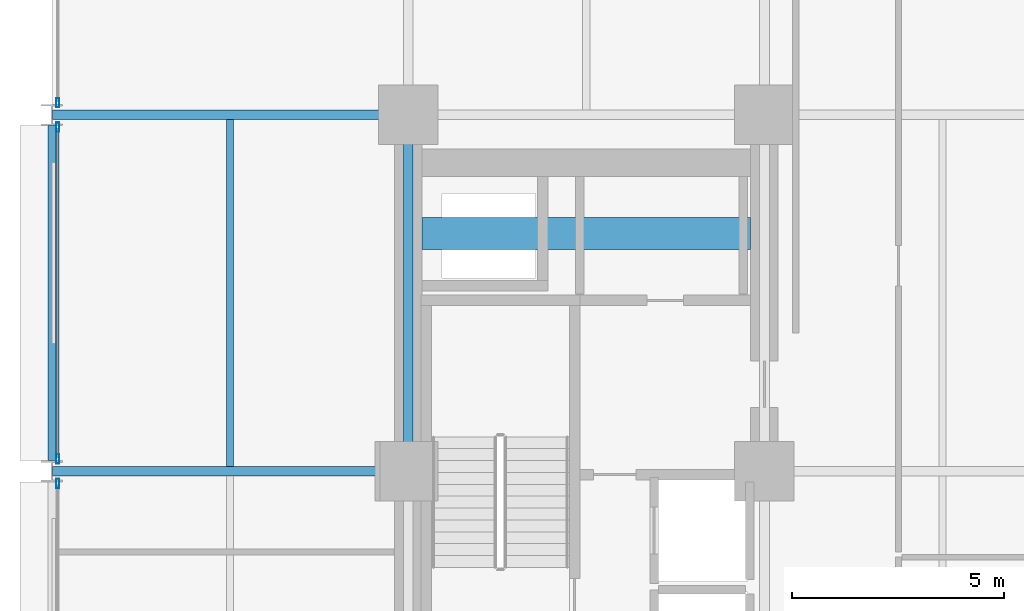
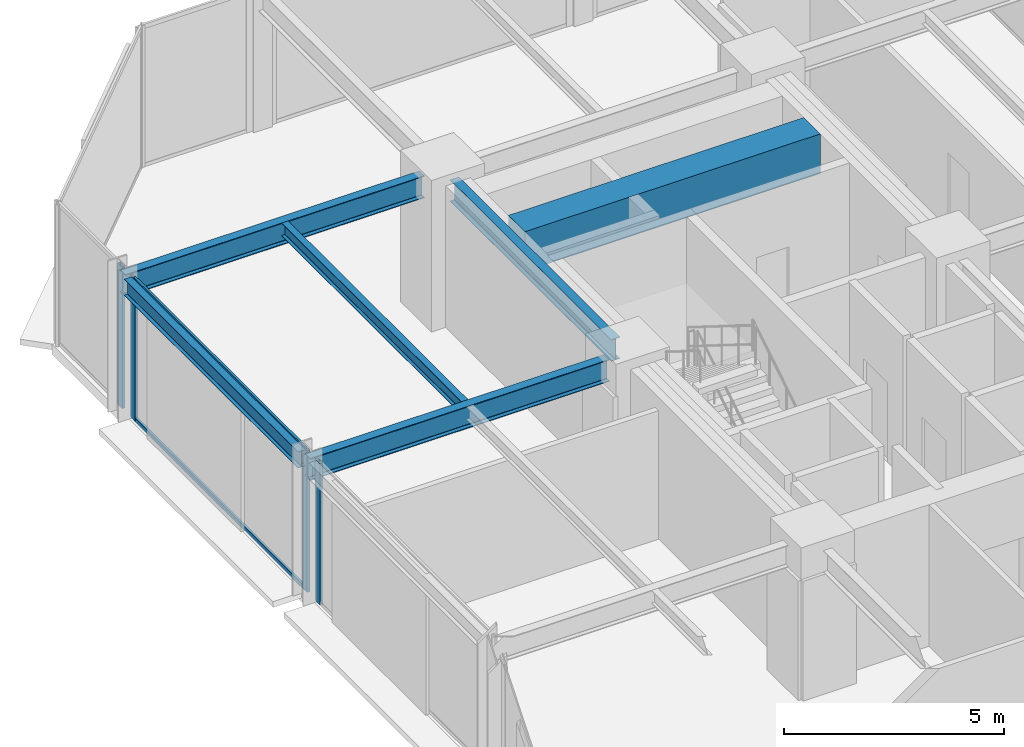
# One storey, part 14 of 25: 6 beams, 6 members, 3 elements without a shape of their own.
"""IFC4 building model written with IfcOpenShell, lengths in metres."""

from ifc_helpers import new_model, si_unit, direction, frame, origin, origin_2d, place, context, subcontext, project, spatial, rectangle, hollow_rectangle, i_section, extrude, material, layer, layer_set, material_profile, profile_set, type_object, element, aggregate, save


model = new_model("IFC4")

# Units and contexts
model_context = context("Model", 3, precision=1e-05, world=origin(), true_north=direction((0.0, 1.0)))
body_context = subcontext(model_context, "Body", "Model", "MODEL_VIEW")
ifc_project = project(units=[si_unit("LENGTHUNIT", "METRE"), si_unit("AREAUNIT", "SQUARE_METRE"), si_unit("VOLUMEUNIT", "CUBIC_METRE"), si_unit("PLANEANGLEUNIT", "RADIAN"), si_unit("MASSUNIT", "GRAM", prefix="KILO")], contexts=[model_context])

# Site, building, storey
site_placement = place(None, origin())
site = spatial("IfcSite", under=ifc_project, at=site_placement, CompositionType="ELEMENT")
building_placement = place(site_placement, origin())
building = spatial("IfcBuilding", under=site, at=building_placement, Name="Nerrivon Quay Data Exchange", CompositionType="ELEMENT")
storey_placement = place(building_placement, frame((0.0, 0.0, 24.800048828125)))
storey = spatial("IfcBuildingStorey", under=building, at=storey_placement, Name="L05", CompositionType="ELEMENT", Elevation=24.800048828125)

# Beams
ifc_material_1 = material(Name="Concrete S65 (65 MPa)", Category="concrete")
ifc_material_profile_1 = material_profile(ifc_material_1, rectangle(XDim=0.75, YDim=1.10009765625, at=origin_2d()), Name="RC-CB-750x1100")
ifc_profile_set_1 = profile_set([ifc_material_profile_1], Name="Concrete S65 (65 MPa)")
beam_type_1 = type_object("IfcBeamType", Name="BM-CB1-750x1100", PredefinedType="LINTEL", material=ifc_profile_set_1)
beam_1_placement = place(storey_placement, frame((8.72509765625, 39.199951171875, 3.375), z_axis=(1.0, 0.0, 0.0), x_axis=(0.0, 1.0, 0.0)))
element("IfcBeam", 1, at=beam_1_placement, inside=storey, type_object=beam_type_1, Name="L05 West Core Coupling Beam", PredefinedType="LINTEL", context=body_context, shape_type="SweptSolid", body=[
    extrude(rectangle(XDim=0.75, YDim=1.10009765625, at=origin_2d()), origin(), (0.0, 0.0, 1.0), 7.75),
])
ifc_material_2 = material(Name="Steel Grade 350", Category="steel")
ifc_material_profile_2 = material_profile(ifc_material_2, i_section(OverallWidth=0.22900390625, OverallDepth=0.612060546875, WebThickness=0.011962890625, FlangeThickness=0.01953125, FilletRadius=0.013916015625, at=origin_2d()), Name="610UB125")
ifc_profile_set_2 = profile_set([ifc_material_profile_2], Name="Steel Grade 350")
beam_type_2 = type_object("IfcBeamType", Name="BM-G1-610UB125", PredefinedType="BEAM", material=ifc_profile_set_2)
for number, where, z_axis, x_axis, name in (
    (2, (0.013916015625, 33.60009765625, 3.618896484375), (1.0, 0.0, 0.0), (0.0, 1.0, 0.0), "L05 EW Girder Y=33.6 (0.0..8.4)"),
    (3, (0.013916015625, 42.0, 3.618896484375), (1.0, 0.0, 0.0), (0.0, 1.0, 0.0), "L05 EW Girder Y=42.0 (0.0..8.4)"),
):
    element("IfcBeam", number, at=place(storey_placement, frame(where, z_axis=z_axis, x_axis=x_axis)), inside=storey, type_object=beam_type_2, Name=name, PredefinedType="BEAM", context=body_context, shape_type="SweptSolid", body=[
        extrude(i_section(OverallWidth=0.22900390625, OverallDepth=0.612060546875, WebThickness=0.011962890625, FlangeThickness=0.01953125, FilletRadius=0.013916015625, at=origin_2d()), origin(), (0.0, 0.0, 1.0), 7.84619140625),
    ])
ifc_material_profile_3 = material_profile(ifc_material_2, i_section(OverallWidth=0.22802734375, OverallDepth=0.60205078125, WebThickness=0.010498046875, FlangeThickness=0.014892578125, FilletRadius=0.013916015625, at=origin_2d()), Name="610UB101")
ifc_profile_set_3 = profile_set([ifc_material_profile_3], Name="Steel Grade 350")
beam_type_3 = type_object("IfcBeamType", Name="BM-G2-610UB101", PredefinedType="BEAM", material=ifc_profile_set_3)
beam_2_placement = place(storey_placement, frame((8.39990234375, 34.139892578125, 3.6240234375), z_axis=(0.0, 1.0, 0.0), x_axis=(-1.0, 0.0, 0.0)))
element("IfcBeam", 4, at=beam_2_placement, inside=storey, type_object=beam_type_3, Name="L05 NS Girder X=8.4 (33.6..42.0)", PredefinedType="BEAM", context=body_context, shape_type="SweptSolid", body=[
    extrude(i_section(OverallWidth=0.22802734375, OverallDepth=0.60205078125, WebThickness=0.010498046875, FlangeThickness=0.014892578125, FilletRadius=0.013916015625, at=origin_2d()), origin(), (0.0, 0.0, 1.0), 7.320068359375),
])
ifc_material_profile_4 = material_profile(ifc_material_2, i_section(OverallWidth=0.172119140625, OverallDepth=0.35888671875, WebThickness=0.008056640625, FlangeThickness=0.012939453125, FilletRadius=0.011474609375, at=origin_2d()), Name="360UB56.7")
ifc_profile_set_4 = profile_set([ifc_material_profile_4], Name="Steel Grade 350")
beam_type_4 = type_object("IfcBeamType", Name="BM-J3-360UB57", PredefinedType="JOIST", material=ifc_profile_set_4)
beam_3_placement = place(storey_placement, frame((4.199951171875, 33.714599609375, 3.745361328125), z_axis=(0.0, 1.0, 0.0), x_axis=(-1.0, 0.0, 0.0)))
element("IfcBeam", 5, at=beam_3_placement, inside=storey, type_object=beam_type_4, Name="L05 Secondary Joist X=4.2 (33.6..42.0)", PredefinedType="JOIST", context=body_context, shape_type="SweptSolid", body=[
    extrude(i_section(OverallWidth=0.172119140625, OverallDepth=0.35888671875, WebThickness=0.008056640625, FlangeThickness=0.012939453125, FilletRadius=0.011474609375, at=origin_2d()), origin(), (0.0, 0.0, 1.0), 8.1708984375),
])
ifc_material_profile_5 = material_profile(ifc_material_2, i_section(OverallWidth=0.18994140625, OverallDepth=0.4541015625, WebThickness=0.008544921875, FlangeThickness=0.0126953125, FilletRadius=0.011474609375, at=origin_2d()), Name="460UB67.1")
ifc_profile_set_5 = profile_set([ifc_material_profile_5], Name="Steel Grade 350")
beam_type_5 = type_object("IfcBeamType", Name="BM-SP1-460UB67", PredefinedType="SPANDREL", material=ifc_profile_set_5)
beam_4_placement = place(storey_placement, frame((0.0, 33.85009765625, 3.697998046875), z_axis=(0.0, 1.0, 0.0), x_axis=(-1.0, 0.0, 0.0)))
element("IfcBeam", 6, at=beam_4_placement, inside=storey, type_object=beam_type_5, Name="L05 NS Girder X=0.0 (33.6..42.0)", PredefinedType="SPANDREL", context=body_context, shape_type="SweptSolid", body=[
    extrude(i_section(OverallWidth=0.18994140625, OverallDepth=0.4541015625, WebThickness=0.008544921875, FlangeThickness=0.0126953125, FilletRadius=0.011474609375, at=origin_2d()), origin(), (0.0, 0.0, 1.0), 7.89990234375),
])

# Curtain wall, member
ifc_material_3 = material(Name="Anodised aluminium 6063-T6", Category="aluminium")
ifc_layer = layer(ifc_material_3, 0.219970703125)
ifc_layer_set = layer_set([ifc_layer], Name="Anodised aluminium 6063-T6")
curtain_wall_type = type_object("IfcCurtainWallType", Name="CW-SYS-01", PredefinedType="NOTDEFINED", material=ifc_layer_set)
curtain_wall_1_placement = place(storey_placement, origin())
curtain_wall_1 = element("IfcCurtainWall", 7, at=curtain_wall_1_placement, inside=storey, type_object=curtain_wall_type, Name="L05 Unitised Curtain Wall 16", PredefinedType="NOTDEFINED")
ifc_material_profile_6 = material_profile(ifc_material_3, hollow_rectangle(XDim=0.074951171875, YDim=0.219970703125, WallThickness=0.00390625, at=origin_2d()), Name="ALU-MULL-220x75")
ifc_profile_set_6 = profile_set([ifc_material_profile_6], Name="Anodised aluminium 6063-T6")
member_type_1 = type_object("IfcMemberType", Name="CWM-220x75", PredefinedType="MULLION", material=ifc_profile_set_6)
member_1_placement = place(storey_placement, frame((0.139892578125, 33.3125, 0.0), z_axis=(0.0, 0.0, 1.0), x_axis=(-1.0, 0.0, 0.0)))
member_1 = element("IfcMember", 8, at=member_1_placement, type_object=member_type_1, Name="CW01 mullion 2", PredefinedType="MULLION", context=body_context, shape_type="SweptSolid", body=[
    extrude(hollow_rectangle(XDim=0.074951171875, YDim=0.219970703125, WallThickness=0.00390625, at=origin_2d()), origin(), (0.0, 0.0, 1.0), 3.925048828125),
])
aggregate(curtain_wall_1, [member_1])

# Curtain wall, members
curtain_wall_2_placement = place(storey_placement, origin())
curtain_wall_2 = element("IfcCurtainWall", 9, at=curtain_wall_2_placement, inside=storey, type_object=curtain_wall_type, Name="L05 Unitised Curtain Wall 17", PredefinedType="NOTDEFINED")
member_2_placement = place(storey_placement, frame((0.139892578125, 33.887451171875, 0.0), z_axis=(0.0, 0.0, 1.0), x_axis=(-1.0, 0.0, 0.0)))
member_2 = element("IfcMember", 10, at=member_2_placement, type_object=member_type_1, Name="CW01 mullion 1", PredefinedType="MULLION", context=body_context, shape_type="SweptSolid", body=[
    extrude(hollow_rectangle(XDim=0.074951171875, YDim=0.219970703125, WallThickness=0.00390625, at=origin_2d()), origin(), (0.0, 0.0, 1.0), 3.925048828125),
])
member_3_placement = place(storey_placement, frame((0.139892578125, 41.71240234375, 0.0), z_axis=(0.0, 0.0, 1.0), x_axis=(-1.0, 0.0, 0.0)))
member_3 = element("IfcMember", 11, at=member_3_placement, type_object=member_type_1, Name="CW01 mullion 2", PredefinedType="MULLION", context=body_context, shape_type="SweptSolid", body=[
    extrude(hollow_rectangle(XDim=0.074951171875, YDim=0.219970703125, WallThickness=0.00390625, at=origin_2d()), origin(), (0.0, 0.0, 1.0), 3.925048828125),
])

# Curtain wall, member
curtain_wall_3_placement = place(storey_placement, origin())
curtain_wall_3 = element("IfcCurtainWall", 12, at=curtain_wall_3_placement, inside=storey, type_object=curtain_wall_type, Name="L05 Unitised Curtain Wall 18", PredefinedType="NOTDEFINED")
member_4_placement = place(storey_placement, frame((0.139892578125, 42.28759765625, 0.0), z_axis=(0.0, 0.0, 1.0), x_axis=(-1.0, 0.0, 0.0)))
member_4 = element("IfcMember", 13, at=member_4_placement, type_object=member_type_1, Name="CW01 mullion 1", PredefinedType="MULLION", context=body_context, shape_type="SweptSolid", body=[
    extrude(hollow_rectangle(XDim=0.074951171875, YDim=0.219970703125, WallThickness=0.00390625, at=origin_2d()), origin(), (0.0, 0.0, 1.0), 3.925048828125),
])
aggregate(curtain_wall_3, [member_4])

# Member
ifc_material_profile_7 = material_profile(ifc_material_3, hollow_rectangle(XDim=0.06005859375, YDim=0.1201171875, WallThickness=0.003173828125, at=origin_2d()), Name="ALU-TRAN-120x60")
ifc_profile_set_7 = profile_set([ifc_material_profile_7], Name="Anodised aluminium 6063-T6")
member_type_2 = type_object("IfcMemberType", Name="CWT-120x60", PredefinedType="USERDEFINED", material=ifc_profile_set_7)
member_5_placement = place(storey_placement, frame((0.139892578125, 33.925048828125, 0.032470703125), z_axis=(0.0, 1.0, 0.0), x_axis=(-1.0, 0.0, 0.0)))
member_5 = element("IfcMember", 14, at=member_5_placement, type_object=member_type_2, Name="CW01 transom 1.1", ObjectType="TRANSOM", PredefinedType="USERDEFINED", context=body_context, shape_type="SweptSolid", body=[
    extrude(hollow_rectangle(XDim=0.06005859375, YDim=0.1201171875, WallThickness=0.003173828125, at=origin_2d()), origin(), (0.0, 0.0, 1.0), 7.75),
])

member_6_placement = place(storey_placement, frame((0.139892578125, 33.925048828125, 3.892333984375), z_axis=(0.0, 1.0, 0.0), x_axis=(-1.0, 0.0, 0.0)))
member_6 = element("IfcMember", 15, at=member_6_placement, type_object=member_type_2, Name="CW01 transom 1.2", ObjectType="TRANSOM", PredefinedType="USERDEFINED", context=body_context, shape_type="SweptSolid", body=[
    extrude(hollow_rectangle(XDim=0.06005859375, YDim=0.1201171875, WallThickness=0.003173828125, at=origin_2d()), origin(), (0.0, 0.0, 1.0), 7.75),
])

aggregate(curtain_wall_2, [member_2, member_3, member_5, member_6])

save(model, "model.ifc")
